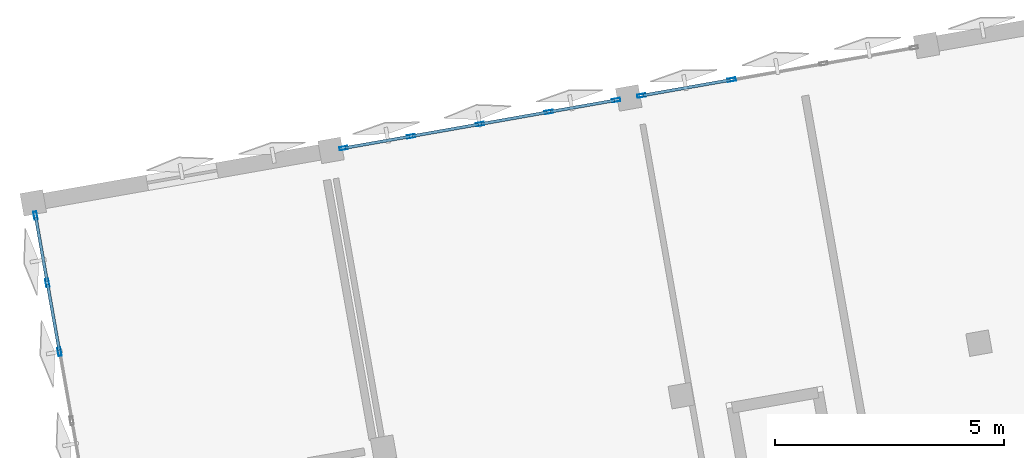
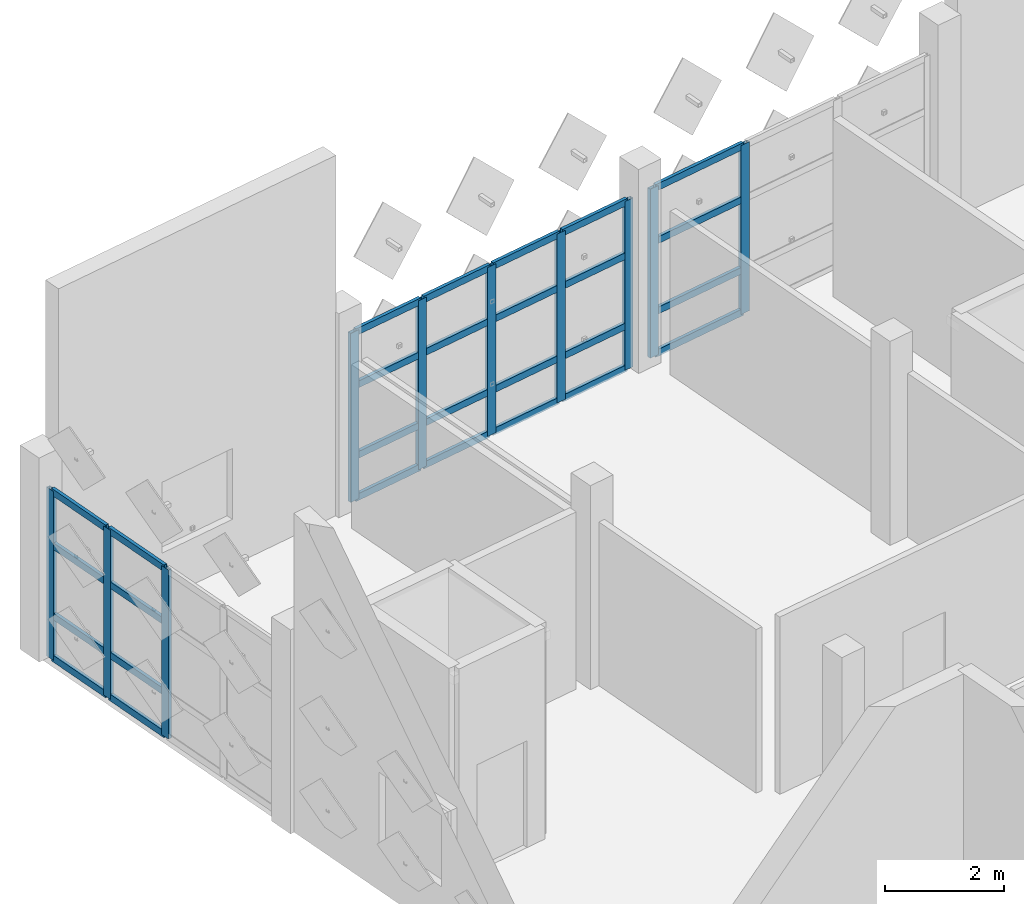
# One storey, part 4 of 11: 38 members, 3 elements without a shape of their own.
"""IFC4 building model written with IfcOpenShell, lengths in metres."""

import ifcopenshell
import ifcopenshell.guid

model = None  # the IFC model being written
_history = None  # IfcOwnerHistory: only IFC2X3 demands one
_inside = {}  # id of a spatial element -> (the spatial element, [elements in it])
_under = {}  # id of a project, library or spatial element -> (it, [spatial elements below it])
_declared = {}  # id of a project -> (the project, [libraries it declares])
_typed = {}  # id of a type object -> (the type object, [elements of that type])
_made_of = {}  # id of a material, layer set ... -> (it, [elements and type objects made of it])


def new_model(schema):
    """Start an empty IFC model of exactly this schema.

    Asked for "IFC4X3", IfcOpenShell would pick the latest addendum, in which some entities
    have other attributes; the version numbers below select the first issue.
    IFC2X3 requires an IfcOwnerHistory on every rooted entity: one is made here for all.
    """
    global model, _history
    if schema == "IFC4X3":
        model = ifcopenshell.file(schema_version=(4, 3, 0, 0))
    else:
        model = ifcopenshell.file(schema=schema)
    _inside.clear()
    _under.clear()
    _declared.clear()
    _typed.clear()
    _made_of.clear()
    _history = None
    if model.schema == "IFC2X3":
        org = make("IfcOrganization", Name="unknown")
        user = make(
            "IfcPersonAndOrganization",
            ThePerson=make("IfcPerson", FamilyName="unknown"),
            TheOrganization=org,
        )
        app = make(
            "IfcApplication",
            ApplicationDeveloper=org,
            Version="unknown",
            ApplicationFullName="unknown",
            ApplicationIdentifier="unknown",
        )
        _history = make(
            "IfcOwnerHistory",
            OwningUser=user,
            OwningApplication=app,
            ChangeAction="ADDED",
            CreationDate=0,
        )
    return model


def make(cls, **values):
    """One entity of the class cls with the attributes given. An attribute that is None is left unset."""
    return model.create_entity(
        cls, **{name: value for name, value in values.items() if value is not None}
    )


def rooted(cls, **values):
    """An entity with a GlobalId (a new one), such as an element, a storey or a relation."""
    return make(cls, GlobalId=ifcopenshell.guid.new(), OwnerHistory=_history, **values)


def si_unit(unit_type, name, prefix=None):
    """IfcSIUnit, for example si_unit("LENGTHUNIT", "METRE", prefix="MILLI")."""
    return make("IfcSIUnit", UnitType=unit_type, Prefix=prefix, Name=name)


def assignment(units):
    """IfcUnitAssignment: the units of a project."""
    return None if units is None else make("IfcUnitAssignment", Units=units)


def point(xyz):
    """IfcCartesianPoint."""
    return None if xyz is None else make("IfcCartesianPoint", Coordinates=xyz)


def direction(xyz):
    """IfcDirection."""
    return None if xyz is None else make("IfcDirection", DirectionRatios=xyz)


def frame(location, z_axis=None, x_axis=None):
    """IfcAxis2Placement3D, a coordinate frame: its origin and axes. An axis left out is left unset."""
    return make(
        "IfcAxis2Placement3D",
        Location=point(location),
        Axis=direction(z_axis),
        RefDirection=direction(x_axis),
    )


def frame_2d(location, x_axis=None):
    """IfcAxis2Placement2D, a coordinate frame in the plane: its origin and x axis."""
    return make(
        "IfcAxis2Placement2D", Location=point(location), RefDirection=direction(x_axis)
    )


def origin():
    """The frame at (0, 0, 0) with its axes left unset."""
    return frame((0.0, 0.0, 0.0))


def origin_2d():
    """The frame at (0, 0) in the plane with its x axis left unset."""
    return frame_2d((0.0, 0.0))


def place(relative_to, where):
    """IfcLocalPlacement: puts the frame where relative to a parent placement (None: the world)."""
    return make(
        "IfcLocalPlacement", PlacementRelTo=relative_to, RelativePlacement=where
    )


def context(
    kind, dimensions, precision=None, world=None, true_north=None, identifier=None
):
    """IfcGeometricRepresentationContext, for example the 3D "Model" context."""
    return make(
        "IfcGeometricRepresentationContext",
        ContextIdentifier=identifier,
        ContextType=kind,
        CoordinateSpaceDimension=dimensions,
        Precision=precision,
        WorldCoordinateSystem=world,
        TrueNorth=true_north,
    )


def subcontext(parent, identifier, kind, view, scale=None):
    """IfcGeometricRepresentationSubContext, for example "Body" below "Model"."""
    return make(
        "IfcGeometricRepresentationSubContext",
        ContextIdentifier=identifier,
        ContextType=kind,
        ParentContext=parent,
        TargetScale=scale,
        TargetView=view,
    )


def project(units=None, contexts=None):
    """IfcProject with its units and contexts."""
    return rooted(
        "IfcProject",
        Name="project",
        RepresentationContexts=contexts,
        UnitsInContext=assignment(units),
    )


def spatial(cls, under=None, at=None, **own):
    """A site, building, storey or space (cls), placed at a placement, below another one or the project."""
    s = rooted(cls, ObjectPlacement=at, **own)
    if under is not None:
        _under.setdefault(under.id(), (under, []))[1].append(s)
    return s


def profile(cls, at=None, kind="AREA", **sizes):
    """A parametric profile (cls). Its sizes go by their IFC names, for example OverallWidth=200.0."""
    return make(cls, ProfileType=kind, Position=at, **sizes)


def hollow_rectangle(**sizes):
    """IfcRectangleHollowProfileDef."""
    return profile("IfcRectangleHollowProfileDef", **sizes)


def extrude(swept, where, along, depth):
    """IfcExtrudedAreaSolid: the profile swept, set in the frame where, extruded along a direction by depth."""
    return make(
        "IfcExtrudedAreaSolid",
        SweptArea=swept,
        Position=where,
        ExtrudedDirection=direction(along),
        Depth=depth,
    )


def shape(context_of_items, identifier, shape_type, items):
    """IfcShapeRepresentation: the items that make up one representation, for example the "Body"."""
    return make(
        "IfcShapeRepresentation",
        ContextOfItems=context_of_items,
        RepresentationIdentifier=identifier,
        RepresentationType=shape_type,
        Items=items,
    )


def material(Name=None, Category=None):
    """IfcMaterial."""
    return make("IfcMaterial", Name=Name, Category=Category)


def layer(
    of_material, thickness, ventilated=None, Name=None, Category=None, Priority=None
):
    """IfcMaterialLayer: one layer of a wall or slab, of a material (None: an air gap)."""
    return make(
        "IfcMaterialLayer",
        Material=of_material,
        LayerThickness=thickness,
        IsVentilated=ventilated,
        Name=Name,
        Category=Category,
        Priority=Priority,
    )


def layer_set(layers, Name=None):
    """IfcMaterialLayerSet."""
    return make("IfcMaterialLayerSet", MaterialLayers=layers, LayerSetName=Name)


def material_profile(
    of_material, cross_section, Name=None, Category=None, Priority=None
):
    """IfcMaterialProfile: a cross section and its material."""
    return make(
        "IfcMaterialProfile",
        Name=Name,
        Material=of_material,
        Profile=cross_section,
        Priority=Priority,
        Category=Category,
    )


def profile_set(profiles, Name=None, composite=None):
    """IfcMaterialProfileSet."""
    return make(
        "IfcMaterialProfileSet",
        Name=Name,
        MaterialProfiles=profiles,
        CompositeProfile=composite,
    )


def made_of(thing, what):
    """Note that an element or type object is made of a material, layer set ...; save() writes the relation."""
    if what is not None:
        _made_of.setdefault(what.id(), (what, []))[1].append(thing)
    return thing


def type_object(cls, material=None, **own):
    """A type object (cls), such as IfcWallType, which elements share."""
    return made_of(rooted(cls, **own), material)


def element(
    cls,
    number,
    at=None,
    inside=None,
    cuts=None,
    type_object=None,
    material=None,
    context=None,
    identifier="Body",
    shape_type=None,
    held_by="IfcProductDefinitionShape",
    body=None,
    shapes=None,
    **own,
):
    """One element of the class cls, such as IfcWall. Its Tag is "e" and its number.

    at: its placement. inside: the storey or other place that contains it. cuts: it is an
    opening in that element (IfcRelVoidsElement). A single representation is given by context,
    identifier, shape_type and body (its items); several are given by shapes. held_by: the class
    of the entity that holds the representations. save() writes the other relations.
    """
    e = rooted(cls, Tag="e%d" % number, ObjectPlacement=at, **own)
    if body is not None:
        shapes = [shape(context, identifier, shape_type, body)]
    if shapes is not None:
        e.Representation = make(held_by, Representations=shapes)
    if inside is not None:
        _inside.setdefault(inside.id(), (inside, []))[1].append(e)
    if cuts is not None:
        rooted(
            "IfcRelVoidsElement", RelatingBuildingElement=cuts, RelatedOpeningElement=e
        )
    if type_object is not None:
        _typed.setdefault(type_object.id(), (type_object, []))[1].append(e)
    return made_of(e, material)


def aggregate(whole, parts):
    """IfcRelAggregates: a whole, such as a stair, and the parts it consists of."""
    return rooted("IfcRelAggregates", RelatingObject=whole, RelatedObjects=parts)


def save(model, path):
    """Write the relations noted so far, then the file.

    IfcRelAggregates (storeys below a building ...), IfcRelContainedInSpatialStructure (elements
    in a storey), IfcRelDefinesByType, IfcRelAssociatesMaterial and IfcRelDeclares: one each for
    every whole, place, type object, material and project.
    """
    for whole, parts in _under.values():
        aggregate(whole, parts)
    for where, things in _inside.values():
        rooted(
            "IfcRelContainedInSpatialStructure",
            RelatedElements=things,
            RelatingStructure=where,
        )
    for kind, things in _typed.values():
        rooted("IfcRelDefinesByType", RelatedObjects=things, RelatingType=kind)
    for what, things in _made_of.values():
        rooted("IfcRelAssociatesMaterial", RelatedObjects=things, RelatingMaterial=what)
    for by, libraries in _declared.values():
        rooted("IfcRelDeclares", RelatingContext=by, RelatedDefinitions=libraries)
    model.write(path)


model = new_model("IFC4")

# Units and contexts
model_context = context("Model", 3, precision=1e-05, world=origin(), true_north=direction((0.0, 1.0)))
body_context = subcontext(model_context, "Body", "Model", "MODEL_VIEW")
ifc_project = project(units=[si_unit("LENGTHUNIT", "METRE"), si_unit("AREAUNIT", "SQUARE_METRE"), si_unit("VOLUMEUNIT", "CUBIC_METRE"), si_unit("PLANEANGLEUNIT", "RADIAN"), si_unit("MASSUNIT", "GRAM", prefix="KILO")], contexts=[model_context])

# Site, building, storey
site_placement = place(None, origin())
site = spatial("IfcSite", under=ifc_project, at=site_placement, CompositionType="ELEMENT")
building_placement = place(site_placement, origin())
building = spatial("IfcBuilding", under=site, at=building_placement, Name="Kharisveld Research Institute", CompositionType="ELEMENT")
storey_placement = place(building_placement, frame((0.0, 0.0, 49.199951171875)))
storey = spatial("IfcBuildingStorey", under=building, at=storey_placement, Name="L11", CompositionType="ELEMENT", Elevation=49.199951171875)

# Curtain wall, members
ifc_material_1 = material(Name="Thermally Broken Aluminium Curtain Wall", Category="aluminium")
ifc_layer_1 = layer(ifc_material_1, 0.159912109375)
ifc_layer_set_1 = layer_set([ifc_layer_1], Name="CW_SYS_03")
curtain_wall_type_1 = type_object("IfcCurtainWallType", Name="CW_SYS_03", PredefinedType="NOTDEFINED", material=ifc_layer_set_1)
curtain_wall_1_placement = place(storey_placement, origin())
curtain_wall_1 = element("IfcCurtainWall", 1, at=curtain_wall_1_placement, inside=storey, type_object=curtain_wall_type_1, Name="CW:V1:L11:W2", PredefinedType="NOTDEFINED")
ifc_material_2 = material(Name="Anodised Aluminium AW-6063-T6", Category="aluminium")
ifc_material_profile_1 = material_profile(ifc_material_2, hollow_rectangle(XDim=0.070068359375, YDim=0.179931640625, WallThickness=0.00439453125, at=origin_2d()))
ifc_profile_set_1 = profile_set([ifc_material_profile_1], Name="Anodised Aluminium AW-6063-T6")
member_type_1 = type_object("IfcMemberType", Name="CW_MUL_180", PredefinedType="MULLION", material=ifc_profile_set_1)
member_1_placement = place(storey_placement, frame((2.334716796875, 51.25927734375, 0.0), z_axis=(0.0, 0.0, 1.0), x_axis=(-0.984807766347, -0.173648102039, 0.0)))
member_1 = element("IfcMember", 2, at=member_1_placement, type_object=member_type_1, Name="CW-03 mullion 3", PredefinedType="MULLION", context=body_context, shape_type="SweptSolid", body=[
    extrude(hollow_rectangle(XDim=0.070068359375, YDim=0.179931640625, WallThickness=0.00439453125, at=origin_2d()), origin(), (0.0, 0.0, 1.0), 3.47998046875),
])
member_2_placement = place(storey_placement, frame((2.069580078125, 52.763671875, 0.0), z_axis=(0.0, 0.0, 1.0), x_axis=(-0.984807766347, -0.173648102039, 0.0)))
member_2 = element("IfcMember", 3, at=member_2_placement, type_object=member_type_1, Name="CW-03 mullion 4", PredefinedType="MULLION", context=body_context, shape_type="SweptSolid", body=[
    extrude(hollow_rectangle(XDim=0.070068359375, YDim=0.179931640625, WallThickness=0.00439453125, at=origin_2d()), origin(), (0.0, 0.0, 1.0), 3.47998046875),
])
member_3_placement = place(storey_placement, frame((1.810302734375, 54.2333984375, 0.0), z_axis=(0.0, 0.0, 1.0), x_axis=(-0.984807766347, -0.173648102039, 0.0)))
member_3 = element("IfcMember", 4, at=member_3_placement, type_object=member_type_1, Name="CW-03 mullion 5", PredefinedType="MULLION", context=body_context, shape_type="SweptSolid", body=[
    extrude(hollow_rectangle(XDim=0.070068359375, YDim=0.179931640625, WallThickness=0.00439453125, at=origin_2d()), origin(), (0.0, 0.0, 1.0), 3.47998046875),
])

ifc_material_3 = material(Name="Thermally Broken Aluminium Curtain Wall", Category="aluminium")
ifc_layer_2 = layer(ifc_material_3, 0.159912109375)
ifc_layer_set_2 = layer_set([ifc_layer_2], Name="CW_SYS_04")
curtain_wall_type_2 = type_object("IfcCurtainWallType", Name="CW_SYS_04", PredefinedType="NOTDEFINED", material=ifc_layer_set_2)
curtain_wall_2_placement = place(storey_placement, origin())
curtain_wall_2 = element("IfcCurtainWall", 5, at=curtain_wall_2_placement, inside=storey, type_object=curtain_wall_type_2, Name="CW:V1:L11:N1", PredefinedType="NOTDEFINED")
member_4_placement = place(storey_placement, frame((8.537353515625, 55.703857421875, 0.0), z_axis=(0.0, 0.0, 1.0), x_axis=(-0.173648130021, 0.984807761413, 0.0)))
member_4 = element("IfcMember", 6, at=member_4_placement, type_object=member_type_1, Name="CW-04 mullion 1", PredefinedType="MULLION", context=body_context, shape_type="SweptSolid", body=[
    extrude(hollow_rectangle(XDim=0.070068359375, YDim=0.179931640625, WallThickness=0.00439453125, at=origin_2d()), origin(), (0.0, 0.0, 1.0), 3.47998046875),
])
member_5_placement = place(storey_placement, frame((10.007080078125, 55.963134765625, 0.0), z_axis=(0.0, 0.0, 1.0), x_axis=(-0.173648130021, 0.984807761413, 0.0)))
member_5 = element("IfcMember", 7, at=member_5_placement, type_object=member_type_1, Name="CW-04 mullion 2", PredefinedType="MULLION", context=body_context, shape_type="SweptSolid", body=[
    extrude(hollow_rectangle(XDim=0.070068359375, YDim=0.179931640625, WallThickness=0.00439453125, at=origin_2d()), origin(), (0.0, 0.0, 1.0), 3.47998046875),
])
member_6_placement = place(storey_placement, frame((11.511474609375, 56.228271484375, 0.0), z_axis=(0.0, 0.0, 1.0), x_axis=(-0.173648130021, 0.984807761413, 0.0)))
member_6 = element("IfcMember", 8, at=member_6_placement, type_object=member_type_1, Name="CW-04 mullion 3", PredefinedType="MULLION", context=body_context, shape_type="SweptSolid", body=[
    extrude(hollow_rectangle(XDim=0.070068359375, YDim=0.179931640625, WallThickness=0.00439453125, at=origin_2d()), origin(), (0.0, 0.0, 1.0), 3.47998046875),
])
member_7_placement = place(storey_placement, frame((13.015625, 56.49365234375, 0.0), z_axis=(0.0, 0.0, 1.0), x_axis=(-0.173648130021, 0.984807761413, 0.0)))
member_7 = element("IfcMember", 9, at=member_7_placement, type_object=member_type_1, Name="CW-04 mullion 4", PredefinedType="MULLION", context=body_context, shape_type="SweptSolid", body=[
    extrude(hollow_rectangle(XDim=0.070068359375, YDim=0.179931640625, WallThickness=0.00439453125, at=origin_2d()), origin(), (0.0, 0.0, 1.0), 3.47998046875),
])
member_8_placement = place(storey_placement, frame((14.485595703125, 56.752685546875, 0.0), z_axis=(0.0, 0.0, 1.0), x_axis=(-0.173648130021, 0.984807761413, 0.0)))
member_8 = element("IfcMember", 10, at=member_8_placement, type_object=member_type_1, Name="CW-04 mullion 5", PredefinedType="MULLION", context=body_context, shape_type="SweptSolid", body=[
    extrude(hollow_rectangle(XDim=0.070068359375, YDim=0.179931640625, WallThickness=0.00439453125, at=origin_2d()), origin(), (0.0, 0.0, 1.0), 3.47998046875),
])

ifc_material_4 = material(Name="Thermally Broken Aluminium Curtain Wall", Category="aluminium")
ifc_layer_3 = layer(ifc_material_4, 0.159912109375)
ifc_layer_set_3 = layer_set([ifc_layer_3], Name="CW_SYS_05")
curtain_wall_type_3 = type_object("IfcCurtainWallType", Name="CW_SYS_05", PredefinedType="NOTDEFINED", material=ifc_layer_set_3)
curtain_wall_3_placement = place(storey_placement, origin())
curtain_wall_3 = element("IfcCurtainWall", 11, at=curtain_wall_3_placement, inside=storey, type_object=curtain_wall_type_3, Name="CW:V1:L11:N2", PredefinedType="NOTDEFINED")
member_9_placement = place(storey_placement, frame((15.036865234375, 56.849853515625, 0.0), z_axis=(0.0, 0.0, 1.0), x_axis=(-0.173648102039, 0.984807766347, 0.0)))
member_9 = element("IfcMember", 12, at=member_9_placement, type_object=member_type_1, Name="CW-05 mullion 1", PredefinedType="MULLION", context=body_context, shape_type="SweptSolid", body=[
    extrude(hollow_rectangle(XDim=0.070068359375, YDim=0.179931640625, WallThickness=0.00439453125, at=origin_2d()), origin(), (0.0, 0.0, 1.0), 3.47998046875),
])
member_10_placement = place(storey_placement, frame((17.00830078125, 57.197509765625, 0.0), z_axis=(0.0, 0.0, 1.0), x_axis=(-0.173648102039, 0.984807766347, 0.0)))
member_10 = element("IfcMember", 13, at=member_10_placement, type_object=member_type_1, Name="CW-05 mullion 2", PredefinedType="MULLION", context=body_context, shape_type="SweptSolid", body=[
    extrude(hollow_rectangle(XDim=0.070068359375, YDim=0.179931640625, WallThickness=0.00439453125, at=origin_2d()), origin(), (0.0, 0.0, 1.0), 3.47998046875),
])

# Member
ifc_material_5 = material(Name="Anodised Aluminium AW-6063-T6", Category="aluminium")
ifc_material_profile_2 = material_profile(ifc_material_5, hollow_rectangle(XDim=0.06494140625, YDim=0.139892578125, WallThickness=0.00390625, at=origin_2d()))
ifc_profile_set_2 = profile_set([ifc_material_profile_2], Name="Anodised Aluminium AW-6063-T6")
member_type_2 = type_object("IfcMemberType", Name="CW_TRN_140", PredefinedType="USERDEFINED", material=ifc_profile_set_2)
member_11_placement = place(storey_placement, frame((2.32861328125, 51.293701171875, 0.032470703125), z_axis=(-0.173517795977, 0.984830733923, 0.0), x_axis=(-0.984830733923, -0.173517795977, 0.0)))
member_11 = element("IfcMember", 14, at=member_11_placement, type_object=member_type_2, Name="CW-03 transom 3.1", ObjectType="TRANSOM", PredefinedType="USERDEFINED", context=body_context, shape_type="SweptSolid", body=[
    extrude(hollow_rectangle(XDim=0.06494140625, YDim=0.139892578125, WallThickness=0.00390625, at=origin_2d()), origin(), (0.0, 0.0, 1.0), 1.457763671875),
])

member_12_placement = place(storey_placement, frame((2.32861328125, 51.293701171875, 0.900146484375), z_axis=(-0.173517795977, 0.984830733923, 0.0), x_axis=(-0.984830733923, -0.173517795977, 0.0)))
member_12 = element("IfcMember", 15, at=member_12_placement, type_object=member_type_2, Name="CW-03 transom 3.2", ObjectType="TRANSOM", PredefinedType="USERDEFINED", context=body_context, shape_type="SweptSolid", body=[
    extrude(hollow_rectangle(XDim=0.06494140625, YDim=0.139892578125, WallThickness=0.00390625, at=origin_2d()), origin(), (0.0, 0.0, 1.0), 1.457763671875),
])

member_13_placement = place(storey_placement, frame((2.32861328125, 51.293701171875, 2.35009765625), z_axis=(-0.173517795977, 0.984830733923, 0.0), x_axis=(-0.984830733923, -0.173517795977, 0.0)))
member_13 = element("IfcMember", 16, at=member_13_placement, type_object=member_type_2, Name="CW-03 transom 3.3", ObjectType="TRANSOM", PredefinedType="USERDEFINED", context=body_context, shape_type="SweptSolid", body=[
    extrude(hollow_rectangle(XDim=0.06494140625, YDim=0.139892578125, WallThickness=0.00390625, at=origin_2d()), origin(), (0.0, 0.0, 1.0), 1.457763671875),
])

member_14_placement = place(storey_placement, frame((2.32861328125, 51.293701171875, 3.447509765625), z_axis=(-0.173517795977, 0.984830733923, 0.0), x_axis=(-0.984830733923, -0.173517795977, 0.0)))
member_14 = element("IfcMember", 17, at=member_14_placement, type_object=member_type_2, Name="CW-03 transom 3.4", ObjectType="TRANSOM", PredefinedType="USERDEFINED", context=body_context, shape_type="SweptSolid", body=[
    extrude(hollow_rectangle(XDim=0.06494140625, YDim=0.139892578125, WallThickness=0.00390625, at=origin_2d()), origin(), (0.0, 0.0, 1.0), 1.457763671875),
])

member_15_placement = place(storey_placement, frame((2.0634765625, 52.798095703125, 0.032470703125), z_axis=(-0.173687424522, 0.984800831926, 0.0), x_axis=(-0.984800831926, -0.173687424522, 0.0)))
member_15 = element("IfcMember", 18, at=member_15_placement, type_object=member_type_2, Name="CW-03 transom 4.1", ObjectType="TRANSOM", PredefinedType="USERDEFINED", context=body_context, shape_type="SweptSolid", body=[
    extrude(hollow_rectangle(XDim=0.06494140625, YDim=0.139892578125, WallThickness=0.00390625, at=origin_2d()), origin(), (0.0, 0.0, 1.0), 1.422607421875),
])

member_16_placement = place(storey_placement, frame((2.0634765625, 52.798095703125, 0.900146484375), z_axis=(-0.173687424522, 0.984800831926, 0.0), x_axis=(-0.984800831926, -0.173687424522, 0.0)))
member_16 = element("IfcMember", 19, at=member_16_placement, type_object=member_type_2, Name="CW-03 transom 4.2", ObjectType="TRANSOM", PredefinedType="USERDEFINED", context=body_context, shape_type="SweptSolid", body=[
    extrude(hollow_rectangle(XDim=0.06494140625, YDim=0.139892578125, WallThickness=0.00390625, at=origin_2d()), origin(), (0.0, 0.0, 1.0), 1.422607421875),
])

member_17_placement = place(storey_placement, frame((2.0634765625, 52.798095703125, 2.35009765625), z_axis=(-0.173687424522, 0.984800831926, 0.0), x_axis=(-0.984800831926, -0.173687424522, 0.0)))
member_17 = element("IfcMember", 20, at=member_17_placement, type_object=member_type_2, Name="CW-03 transom 4.3", ObjectType="TRANSOM", PredefinedType="USERDEFINED", context=body_context, shape_type="SweptSolid", body=[
    extrude(hollow_rectangle(XDim=0.06494140625, YDim=0.139892578125, WallThickness=0.00390625, at=origin_2d()), origin(), (0.0, 0.0, 1.0), 1.422607421875),
])

member_18_placement = place(storey_placement, frame((2.0634765625, 52.798095703125, 3.447509765625), z_axis=(-0.173687424522, 0.984800831926, 0.0), x_axis=(-0.984800831926, -0.173687424522, 0.0)))
member_18 = element("IfcMember", 21, at=member_18_placement, type_object=member_type_2, Name="CW-03 transom 4.4", ObjectType="TRANSOM", PredefinedType="USERDEFINED", context=body_context, shape_type="SweptSolid", body=[
    extrude(hollow_rectangle(XDim=0.06494140625, YDim=0.139892578125, WallThickness=0.00390625, at=origin_2d()), origin(), (0.0, 0.0, 1.0), 1.422607421875),
])

aggregate(curtain_wall_1, [member_1, member_2, member_3, member_11, member_12, member_13, member_14, member_15, member_16, member_17, member_18])

member_19_placement = place(storey_placement, frame((8.57177734375, 55.7099609375, 0.032470703125), z_axis=(0.984800831926, 0.173687424522, 0.0), x_axis=(-0.173687424522, 0.984800831926, 0.0)))
member_19 = element("IfcMember", 22, at=member_19_placement, type_object=member_type_2, Name="CW-04 transom 1.1", ObjectType="TRANSOM", PredefinedType="USERDEFINED", context=body_context, shape_type="SweptSolid", body=[
    extrude(hollow_rectangle(XDim=0.06494140625, YDim=0.139892578125, WallThickness=0.00390625, at=origin_2d()), origin(), (0.0, 0.0, 1.0), 1.422607421875),
])

member_20_placement = place(storey_placement, frame((8.57177734375, 55.7099609375, 0.900146484375), z_axis=(0.984800831926, 0.173687424522, 0.0), x_axis=(-0.173687424522, 0.984800831926, 0.0)))
member_20 = element("IfcMember", 23, at=member_20_placement, type_object=member_type_2, Name="CW-04 transom 1.2", ObjectType="TRANSOM", PredefinedType="USERDEFINED", context=body_context, shape_type="SweptSolid", body=[
    extrude(hollow_rectangle(XDim=0.06494140625, YDim=0.139892578125, WallThickness=0.00390625, at=origin_2d()), origin(), (0.0, 0.0, 1.0), 1.422607421875),
])

member_21_placement = place(storey_placement, frame((8.57177734375, 55.7099609375, 2.35009765625), z_axis=(0.984800831926, 0.173687424522, 0.0), x_axis=(-0.173687424522, 0.984800831926, 0.0)))
member_21 = element("IfcMember", 24, at=member_21_placement, type_object=member_type_2, Name="CW-04 transom 1.3", ObjectType="TRANSOM", PredefinedType="USERDEFINED", context=body_context, shape_type="SweptSolid", body=[
    extrude(hollow_rectangle(XDim=0.06494140625, YDim=0.139892578125, WallThickness=0.00390625, at=origin_2d()), origin(), (0.0, 0.0, 1.0), 1.422607421875),
])

member_22_placement = place(storey_placement, frame((8.57177734375, 55.7099609375, 3.447509765625), z_axis=(0.984800831926, 0.173687424522, 0.0), x_axis=(-0.173687424522, 0.984800831926, 0.0)))
member_22 = element("IfcMember", 25, at=member_22_placement, type_object=member_type_2, Name="CW-04 transom 1.4", ObjectType="TRANSOM", PredefinedType="USERDEFINED", context=body_context, shape_type="SweptSolid", body=[
    extrude(hollow_rectangle(XDim=0.06494140625, YDim=0.139892578125, WallThickness=0.00390625, at=origin_2d()), origin(), (0.0, 0.0, 1.0), 1.422607421875),
])

member_23_placement = place(storey_placement, frame((10.04150390625, 55.96923828125, 0.032470703125), z_axis=(0.984825689868, 0.17354642196, 0.0), x_axis=(-0.17354642196, 0.984825689868, 0.0)))
member_23 = element("IfcMember", 26, at=member_23_placement, type_object=member_type_2, Name="CW-04 transom 2.1", ObjectType="TRANSOM", PredefinedType="USERDEFINED", context=body_context, shape_type="SweptSolid", body=[
    extrude(hollow_rectangle(XDim=0.06494140625, YDim=0.139892578125, WallThickness=0.00390625, at=origin_2d()), origin(), (0.0, 0.0, 1.0), 1.45751953125),
])

member_24_placement = place(storey_placement, frame((10.04150390625, 55.96923828125, 0.900146484375), z_axis=(0.984825689868, 0.17354642196, 0.0), x_axis=(-0.17354642196, 0.984825689868, 0.0)))
member_24 = element("IfcMember", 27, at=member_24_placement, type_object=member_type_2, Name="CW-04 transom 2.2", ObjectType="TRANSOM", PredefinedType="USERDEFINED", context=body_context, shape_type="SweptSolid", body=[
    extrude(hollow_rectangle(XDim=0.06494140625, YDim=0.139892578125, WallThickness=0.00390625, at=origin_2d()), origin(), (0.0, 0.0, 1.0), 1.45751953125),
])

member_25_placement = place(storey_placement, frame((10.04150390625, 55.96923828125, 2.35009765625), z_axis=(0.984825689868, 0.17354642196, 0.0), x_axis=(-0.17354642196, 0.984825689868, 0.0)))
member_25 = element("IfcMember", 28, at=member_25_placement, type_object=member_type_2, Name="CW-04 transom 2.3", ObjectType="TRANSOM", PredefinedType="USERDEFINED", context=body_context, shape_type="SweptSolid", body=[
    extrude(hollow_rectangle(XDim=0.06494140625, YDim=0.139892578125, WallThickness=0.00390625, at=origin_2d()), origin(), (0.0, 0.0, 1.0), 1.45751953125),
])

member_26_placement = place(storey_placement, frame((10.04150390625, 55.96923828125, 3.447509765625), z_axis=(0.984825689868, 0.17354642196, 0.0), x_axis=(-0.17354642196, 0.984825689868, 0.0)))
member_26 = element("IfcMember", 29, at=member_26_placement, type_object=member_type_2, Name="CW-04 transom 2.4", ObjectType="TRANSOM", PredefinedType="USERDEFINED", context=body_context, shape_type="SweptSolid", body=[
    extrude(hollow_rectangle(XDim=0.06494140625, YDim=0.139892578125, WallThickness=0.00390625, at=origin_2d()), origin(), (0.0, 0.0, 1.0), 1.45751953125),
])

member_27_placement = place(storey_placement, frame((11.5458984375, 56.234375, 0.032470703125), z_axis=(0.984797046668, 0.173708885422, 0.0), x_axis=(-0.173708885422, 0.984797046668, 0.0)))
member_27 = element("IfcMember", 30, at=member_27_placement, type_object=member_type_2, Name="CW-04 transom 3.1", ObjectType="TRANSOM", PredefinedType="USERDEFINED", context=body_context, shape_type="SweptSolid", body=[
    extrude(hollow_rectangle(XDim=0.06494140625, YDim=0.139892578125, WallThickness=0.00390625, at=origin_2d()), origin(), (0.0, 0.0, 1.0), 1.45751953125),
])

member_28_placement = place(storey_placement, frame((11.5458984375, 56.234375, 0.900146484375), z_axis=(0.984797046668, 0.173708885422, 0.0), x_axis=(-0.173708885422, 0.984797046668, 0.0)))
member_28 = element("IfcMember", 31, at=member_28_placement, type_object=member_type_2, Name="CW-04 transom 3.2", ObjectType="TRANSOM", PredefinedType="USERDEFINED", context=body_context, shape_type="SweptSolid", body=[
    extrude(hollow_rectangle(XDim=0.06494140625, YDim=0.139892578125, WallThickness=0.00390625, at=origin_2d()), origin(), (0.0, 0.0, 1.0), 1.45751953125),
])

member_29_placement = place(storey_placement, frame((11.5458984375, 56.234375, 2.35009765625), z_axis=(0.984797046668, 0.173708885422, 0.0), x_axis=(-0.173708885422, 0.984797046668, 0.0)))
member_29 = element("IfcMember", 32, at=member_29_placement, type_object=member_type_2, Name="CW-04 transom 3.3", ObjectType="TRANSOM", PredefinedType="USERDEFINED", context=body_context, shape_type="SweptSolid", body=[
    extrude(hollow_rectangle(XDim=0.06494140625, YDim=0.139892578125, WallThickness=0.00390625, at=origin_2d()), origin(), (0.0, 0.0, 1.0), 1.45751953125),
])

member_30_placement = place(storey_placement, frame((11.5458984375, 56.234375, 3.447509765625), z_axis=(0.984797046668, 0.173708885422, 0.0), x_axis=(-0.173708885422, 0.984797046668, 0.0)))
member_30 = element("IfcMember", 33, at=member_30_placement, type_object=member_type_2, Name="CW-04 transom 3.4", ObjectType="TRANSOM", PredefinedType="USERDEFINED", context=body_context, shape_type="SweptSolid", body=[
    extrude(hollow_rectangle(XDim=0.06494140625, YDim=0.139892578125, WallThickness=0.00390625, at=origin_2d()), origin(), (0.0, 0.0, 1.0), 1.45751953125),
])

member_31_placement = place(storey_placement, frame((13.050048828125, 56.499755859375, 0.032470703125), z_axis=(0.984830175258, 0.173520966746, 0.0), x_axis=(-0.173520966746, 0.984830175258, 0.0)))
member_31 = element("IfcMember", 34, at=member_31_placement, type_object=member_type_2, Name="CW-04 transom 4.1", ObjectType="TRANSOM", PredefinedType="USERDEFINED", context=body_context, shape_type="SweptSolid", body=[
    extrude(hollow_rectangle(XDim=0.06494140625, YDim=0.139892578125, WallThickness=0.00390625, at=origin_2d()), origin(), (0.0, 0.0, 1.0), 1.42236328125),
])

member_32_placement = place(storey_placement, frame((13.050048828125, 56.499755859375, 0.900146484375), z_axis=(0.984830175258, 0.173520966746, 0.0), x_axis=(-0.173520966746, 0.984830175258, 0.0)))
member_32 = element("IfcMember", 35, at=member_32_placement, type_object=member_type_2, Name="CW-04 transom 4.2", ObjectType="TRANSOM", PredefinedType="USERDEFINED", context=body_context, shape_type="SweptSolid", body=[
    extrude(hollow_rectangle(XDim=0.06494140625, YDim=0.139892578125, WallThickness=0.00390625, at=origin_2d()), origin(), (0.0, 0.0, 1.0), 1.42236328125),
])

member_33_placement = place(storey_placement, frame((13.050048828125, 56.499755859375, 2.35009765625), z_axis=(0.984830175258, 0.173520966746, 0.0), x_axis=(-0.173520966746, 0.984830175258, 0.0)))
member_33 = element("IfcMember", 36, at=member_33_placement, type_object=member_type_2, Name="CW-04 transom 4.3", ObjectType="TRANSOM", PredefinedType="USERDEFINED", context=body_context, shape_type="SweptSolid", body=[
    extrude(hollow_rectangle(XDim=0.06494140625, YDim=0.139892578125, WallThickness=0.00390625, at=origin_2d()), origin(), (0.0, 0.0, 1.0), 1.42236328125),
])

member_34_placement = place(storey_placement, frame((13.050048828125, 56.499755859375, 3.447509765625), z_axis=(0.984830175258, 0.173520966746, 0.0), x_axis=(-0.173520966746, 0.984830175258, 0.0)))
member_34 = element("IfcMember", 37, at=member_34_placement, type_object=member_type_2, Name="CW-04 transom 4.4", ObjectType="TRANSOM", PredefinedType="USERDEFINED", context=body_context, shape_type="SweptSolid", body=[
    extrude(hollow_rectangle(XDim=0.06494140625, YDim=0.139892578125, WallThickness=0.00390625, at=origin_2d()), origin(), (0.0, 0.0, 1.0), 1.42236328125),
])

aggregate(curtain_wall_2, [member_4, member_5, member_6, member_7, member_8, member_19, member_20, member_21, member_22, member_23, member_24, member_25, member_26, member_27, member_28, member_29, member_30, member_31, member_32, member_33, member_34])

member_35_placement = place(storey_placement, frame((15.071533203125, 56.85595703125, 0.032470703125), z_axis=(0.984806452584, 0.173655552599, 0.0), x_axis=(-0.173655552599, 0.984806452584, 0.0)))
member_35 = element("IfcMember", 38, at=member_35_placement, type_object=member_type_2, Name="CW-05 transom 1.1", ObjectType="TRANSOM", PredefinedType="USERDEFINED", context=body_context, shape_type="SweptSolid", body=[
    extrude(hollow_rectangle(XDim=0.06494140625, YDim=0.139892578125, WallThickness=0.00390625, at=origin_2d()), origin(), (0.0, 0.0, 1.0), 1.931640625),
])

member_36_placement = place(storey_placement, frame((15.071533203125, 56.85595703125, 0.900146484375), z_axis=(0.984806452584, 0.173655552599, 0.0), x_axis=(-0.173655552599, 0.984806452584, 0.0)))
member_36 = element("IfcMember", 39, at=member_36_placement, type_object=member_type_2, Name="CW-05 transom 1.2", ObjectType="TRANSOM", PredefinedType="USERDEFINED", context=body_context, shape_type="SweptSolid", body=[
    extrude(hollow_rectangle(XDim=0.06494140625, YDim=0.139892578125, WallThickness=0.00390625, at=origin_2d()), origin(), (0.0, 0.0, 1.0), 1.931640625),
])

member_37_placement = place(storey_placement, frame((15.071533203125, 56.85595703125, 2.35009765625), z_axis=(0.984806452584, 0.173655552599, 0.0), x_axis=(-0.173655552599, 0.984806452584, 0.0)))
member_37 = element("IfcMember", 40, at=member_37_placement, type_object=member_type_2, Name="CW-05 transom 1.3", ObjectType="TRANSOM", PredefinedType="USERDEFINED", context=body_context, shape_type="SweptSolid", body=[
    extrude(hollow_rectangle(XDim=0.06494140625, YDim=0.139892578125, WallThickness=0.00390625, at=origin_2d()), origin(), (0.0, 0.0, 1.0), 1.931640625),
])

member_38_placement = place(storey_placement, frame((15.071533203125, 56.85595703125, 3.447509765625), z_axis=(0.984806452584, 0.173655552599, 0.0), x_axis=(-0.173655552599, 0.984806452584, 0.0)))
member_38 = element("IfcMember", 41, at=member_38_placement, type_object=member_type_2, Name="CW-05 transom 1.4", ObjectType="TRANSOM", PredefinedType="USERDEFINED", context=body_context, shape_type="SweptSolid", body=[
    extrude(hollow_rectangle(XDim=0.06494140625, YDim=0.139892578125, WallThickness=0.00390625, at=origin_2d()), origin(), (0.0, 0.0, 1.0), 1.931640625),
])

aggregate(curtain_wall_3, [member_9, member_10, member_35, member_36, member_37, member_38])

save(model, "model.ifc")
